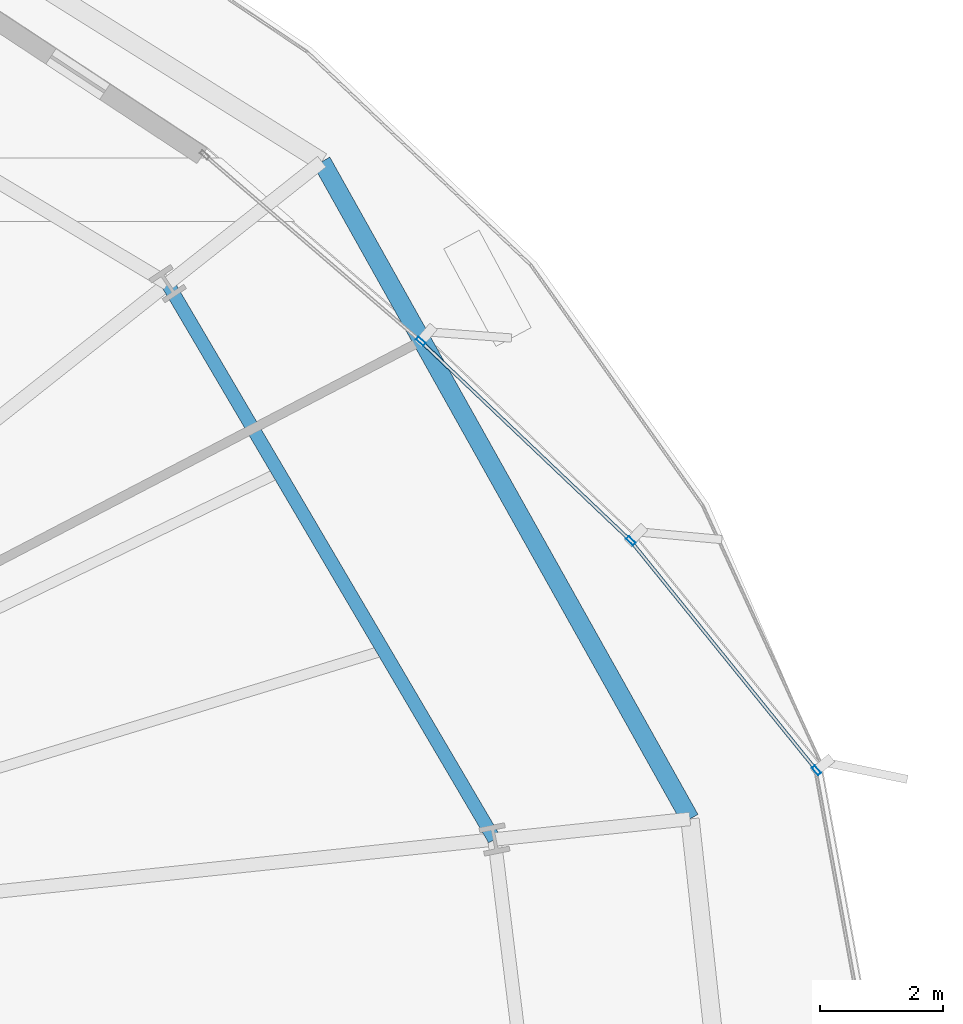
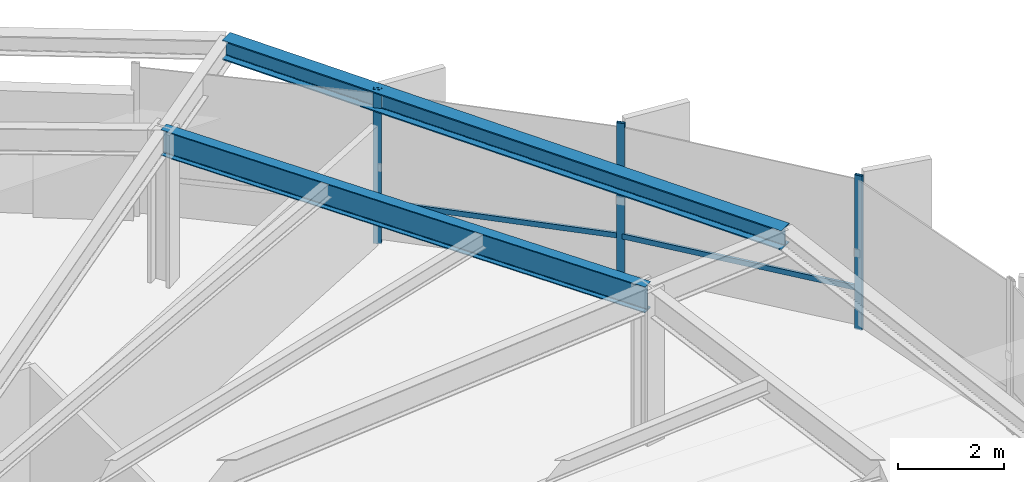
# One storey, part 26 of 39: 5 members, 2 beams, 1 element without a shape of its own.
"""IFC4 building model written with IfcOpenShell, lengths in metres."""

import ifcopenshell
import ifcopenshell.guid

model = None  # the IFC model being written
_history = None  # IfcOwnerHistory: only IFC2X3 demands one
_inside = {}  # id of a spatial element -> (the spatial element, [elements in it])
_under = {}  # id of a project, library or spatial element -> (it, [spatial elements below it])
_declared = {}  # id of a project -> (the project, [libraries it declares])
_typed = {}  # id of a type object -> (the type object, [elements of that type])
_made_of = {}  # id of a material, layer set ... -> (it, [elements and type objects made of it])


def new_model(schema):
    """Start an empty IFC model of exactly this schema.

    Asked for "IFC4X3", IfcOpenShell would pick the latest addendum, in which some entities
    have other attributes; the version numbers below select the first issue.
    IFC2X3 requires an IfcOwnerHistory on every rooted entity: one is made here for all.
    """
    global model, _history
    if schema == "IFC4X3":
        model = ifcopenshell.file(schema_version=(4, 3, 0, 0))
    else:
        model = ifcopenshell.file(schema=schema)
    _inside.clear()
    _under.clear()
    _declared.clear()
    _typed.clear()
    _made_of.clear()
    _history = None
    if model.schema == "IFC2X3":
        org = make("IfcOrganization", Name="unknown")
        user = make(
            "IfcPersonAndOrganization",
            ThePerson=make("IfcPerson", FamilyName="unknown"),
            TheOrganization=org,
        )
        app = make(
            "IfcApplication",
            ApplicationDeveloper=org,
            Version="unknown",
            ApplicationFullName="unknown",
            ApplicationIdentifier="unknown",
        )
        _history = make(
            "IfcOwnerHistory",
            OwningUser=user,
            OwningApplication=app,
            ChangeAction="ADDED",
            CreationDate=0,
        )
    return model


def make(cls, **values):
    """One entity of the class cls with the attributes given. An attribute that is None is left unset."""
    return model.create_entity(
        cls, **{name: value for name, value in values.items() if value is not None}
    )


def rooted(cls, **values):
    """An entity with a GlobalId (a new one), such as an element, a storey or a relation."""
    return make(cls, GlobalId=ifcopenshell.guid.new(), OwnerHistory=_history, **values)


def si_unit(unit_type, name, prefix=None):
    """IfcSIUnit, for example si_unit("LENGTHUNIT", "METRE", prefix="MILLI")."""
    return make("IfcSIUnit", UnitType=unit_type, Prefix=prefix, Name=name)


def assignment(units):
    """IfcUnitAssignment: the units of a project."""
    return None if units is None else make("IfcUnitAssignment", Units=units)


def point(xyz):
    """IfcCartesianPoint."""
    return None if xyz is None else make("IfcCartesianPoint", Coordinates=xyz)


def direction(xyz):
    """IfcDirection."""
    return None if xyz is None else make("IfcDirection", DirectionRatios=xyz)


def frame(location, z_axis=None, x_axis=None):
    """IfcAxis2Placement3D, a coordinate frame: its origin and axes. An axis left out is left unset."""
    return make(
        "IfcAxis2Placement3D",
        Location=point(location),
        Axis=direction(z_axis),
        RefDirection=direction(x_axis),
    )


def frame_2d(location, x_axis=None):
    """IfcAxis2Placement2D, a coordinate frame in the plane: its origin and x axis."""
    return make(
        "IfcAxis2Placement2D", Location=point(location), RefDirection=direction(x_axis)
    )


def origin():
    """The frame at (0, 0, 0) with its axes left unset."""
    return frame((0.0, 0.0, 0.0))


def origin_2d():
    """The frame at (0, 0) in the plane with its x axis left unset."""
    return frame_2d((0.0, 0.0))


def place(relative_to, where):
    """IfcLocalPlacement: puts the frame where relative to a parent placement (None: the world)."""
    return make(
        "IfcLocalPlacement", PlacementRelTo=relative_to, RelativePlacement=where
    )


def context(
    kind, dimensions, precision=None, world=None, true_north=None, identifier=None
):
    """IfcGeometricRepresentationContext, for example the 3D "Model" context."""
    return make(
        "IfcGeometricRepresentationContext",
        ContextIdentifier=identifier,
        ContextType=kind,
        CoordinateSpaceDimension=dimensions,
        Precision=precision,
        WorldCoordinateSystem=world,
        TrueNorth=true_north,
    )


def subcontext(parent, identifier, kind, view, scale=None):
    """IfcGeometricRepresentationSubContext, for example "Body" below "Model"."""
    return make(
        "IfcGeometricRepresentationSubContext",
        ContextIdentifier=identifier,
        ContextType=kind,
        ParentContext=parent,
        TargetScale=scale,
        TargetView=view,
    )


def project(units=None, contexts=None):
    """IfcProject with its units and contexts."""
    return rooted(
        "IfcProject",
        Name="project",
        RepresentationContexts=contexts,
        UnitsInContext=assignment(units),
    )


def spatial(cls, under=None, at=None, **own):
    """A site, building, storey or space (cls), placed at a placement, below another one or the project."""
    s = rooted(cls, ObjectPlacement=at, **own)
    if under is not None:
        _under.setdefault(under.id(), (under, []))[1].append(s)
    return s


def profile(cls, at=None, kind="AREA", **sizes):
    """A parametric profile (cls). Its sizes go by their IFC names, for example OverallWidth=200.0."""
    return make(cls, ProfileType=kind, Position=at, **sizes)


def hollow_rectangle(**sizes):
    """IfcRectangleHollowProfileDef."""
    return profile("IfcRectangleHollowProfileDef", **sizes)


def i_section(**sizes):
    """IfcIShapeProfileDef."""
    return profile("IfcIShapeProfileDef", **sizes)


def extrude(swept, where, along, depth):
    """IfcExtrudedAreaSolid: the profile swept, set in the frame where, extruded along a direction by depth."""
    return make(
        "IfcExtrudedAreaSolid",
        SweptArea=swept,
        Position=where,
        ExtrudedDirection=direction(along),
        Depth=depth,
    )


def shape(context_of_items, identifier, shape_type, items):
    """IfcShapeRepresentation: the items that make up one representation, for example the "Body"."""
    return make(
        "IfcShapeRepresentation",
        ContextOfItems=context_of_items,
        RepresentationIdentifier=identifier,
        RepresentationType=shape_type,
        Items=items,
    )


def source(mapping_origin, context_of_items, identifier, shape_type, items):
    """IfcRepresentationMap: a shape defined once, which mapped items show again and again."""
    return make(
        "IfcRepresentationMap",
        MappingOrigin=mapping_origin,
        MappedRepresentation=shape(context_of_items, identifier, shape_type, items),
    )


def transform(
    local_origin,
    x_axis=None,
    y_axis=None,
    z_axis=None,
    scale=None,
    scale2=None,
    scale3=None,
    uniform=True,
):
    """IfcCartesianTransformationOperator3D, or its non-uniform kind. x_axis, y_axis, z_axis: its Axis1, 2, 3."""
    if uniform:
        return make(
            "IfcCartesianTransformationOperator3D",
            Axis1=direction(x_axis),
            Axis2=direction(y_axis),
            LocalOrigin=point(local_origin),
            Scale=scale,
            Axis3=direction(z_axis),
        )
    return make(
        "IfcCartesianTransformationOperator3DnonUniform",
        Axis1=direction(x_axis),
        Axis2=direction(y_axis),
        LocalOrigin=point(local_origin),
        Scale=scale,
        Axis3=direction(z_axis),
        Scale2=scale2,
        Scale3=scale3,
    )


def mapped(mapping_source, mapping_target):
    """IfcMappedItem: shows the shape of a source again, moved by a transform."""
    return make(
        "IfcMappedItem", MappingSource=mapping_source, MappingTarget=mapping_target
    )


def material(Name=None, Category=None):
    """IfcMaterial."""
    return make("IfcMaterial", Name=Name, Category=Category)


def layer(
    of_material, thickness, ventilated=None, Name=None, Category=None, Priority=None
):
    """IfcMaterialLayer: one layer of a wall or slab, of a material (None: an air gap)."""
    return make(
        "IfcMaterialLayer",
        Material=of_material,
        LayerThickness=thickness,
        IsVentilated=ventilated,
        Name=Name,
        Category=Category,
        Priority=Priority,
    )


def layer_set(layers, Name=None):
    """IfcMaterialLayerSet."""
    return make("IfcMaterialLayerSet", MaterialLayers=layers, LayerSetName=Name)


def material_profile(
    of_material, cross_section, Name=None, Category=None, Priority=None
):
    """IfcMaterialProfile: a cross section and its material."""
    return make(
        "IfcMaterialProfile",
        Name=Name,
        Material=of_material,
        Profile=cross_section,
        Priority=Priority,
        Category=Category,
    )


def profile_set(profiles, Name=None, composite=None):
    """IfcMaterialProfileSet."""
    return make(
        "IfcMaterialProfileSet",
        Name=Name,
        MaterialProfiles=profiles,
        CompositeProfile=composite,
    )


def made_of(thing, what):
    """Note that an element or type object is made of a material, layer set ...; save() writes the relation."""
    if what is not None:
        _made_of.setdefault(what.id(), (what, []))[1].append(thing)
    return thing


def type_object(cls, material=None, **own):
    """A type object (cls), such as IfcWallType, which elements share."""
    return made_of(rooted(cls, **own), material)


def element(
    cls,
    number,
    at=None,
    inside=None,
    cuts=None,
    type_object=None,
    material=None,
    context=None,
    identifier="Body",
    shape_type=None,
    held_by="IfcProductDefinitionShape",
    body=None,
    shapes=None,
    **own,
):
    """One element of the class cls, such as IfcWall. Its Tag is "e" and its number.

    at: its placement. inside: the storey or other place that contains it. cuts: it is an
    opening in that element (IfcRelVoidsElement). A single representation is given by context,
    identifier, shape_type and body (its items); several are given by shapes. held_by: the class
    of the entity that holds the representations. save() writes the other relations.
    """
    e = rooted(cls, Tag="e%d" % number, ObjectPlacement=at, **own)
    if body is not None:
        shapes = [shape(context, identifier, shape_type, body)]
    if shapes is not None:
        e.Representation = make(held_by, Representations=shapes)
    if inside is not None:
        _inside.setdefault(inside.id(), (inside, []))[1].append(e)
    if cuts is not None:
        rooted(
            "IfcRelVoidsElement", RelatingBuildingElement=cuts, RelatedOpeningElement=e
        )
    if type_object is not None:
        _typed.setdefault(type_object.id(), (type_object, []))[1].append(e)
    return made_of(e, material)


def aggregate(whole, parts):
    """IfcRelAggregates: a whole, such as a stair, and the parts it consists of."""
    return rooted("IfcRelAggregates", RelatingObject=whole, RelatedObjects=parts)


def save(model, path):
    """Write the relations noted so far, then the file.

    IfcRelAggregates (storeys below a building ...), IfcRelContainedInSpatialStructure (elements
    in a storey), IfcRelDefinesByType, IfcRelAssociatesMaterial and IfcRelDeclares: one each for
    every whole, place, type object, material and project.
    """
    for whole, parts in _under.values():
        aggregate(whole, parts)
    for where, things in _inside.values():
        rooted(
            "IfcRelContainedInSpatialStructure",
            RelatedElements=things,
            RelatingStructure=where,
        )
    for kind, things in _typed.values():
        rooted("IfcRelDefinesByType", RelatedObjects=things, RelatingType=kind)
    for what, things in _made_of.values():
        rooted("IfcRelAssociatesMaterial", RelatedObjects=things, RelatingMaterial=what)
    for by, libraries in _declared.values():
        rooted("IfcRelDeclares", RelatingContext=by, RelatedDefinitions=libraries)
    model.write(path)


model = new_model("IFC4")

# Units and contexts
model_context = context("Model", 3, precision=1e-05, world=origin(), true_north=direction((0.0, 1.0)))
body_context = subcontext(model_context, "Body", "Model", "MODEL_VIEW")
ifc_project = project(units=[si_unit("LENGTHUNIT", "METRE"), si_unit("AREAUNIT", "SQUARE_METRE"), si_unit("VOLUMEUNIT", "CUBIC_METRE"), si_unit("PLANEANGLEUNIT", "RADIAN"), si_unit("MASSUNIT", "GRAM", prefix="KILO"), si_unit("THERMODYNAMICTEMPERATUREUNIT", "KELVIN")], contexts=[model_context])

# Site, building, storey
site_placement = place(None, origin())
site = spatial("IfcSite", under=ifc_project, at=site_placement, CompositionType="ELEMENT")
building_placement = place(site_placement, origin())
building = spatial("IfcBuilding", under=site, at=building_placement, Name="Kethvar Cultural Tower", CompositionType="ELEMENT")
storey_placement = place(building_placement, frame((0.0, 0.0, 44.800048828125)))
storey = spatial("IfcBuildingStorey", under=building, at=storey_placement, Name="L10", CompositionType="ELEMENT", Elevation=44.800048828125)

# Beams
ifc_material_1 = material(Name="Steel S355J2", Category="steel")
ifc_material_profile_1 = material_profile(ifc_material_1, i_section(OverallWidth=0.219970703125, OverallDepth=0.60009765625, WebThickness=0.011962890625, FlangeThickness=0.01904296875, FilletRadius=0.02392578125, at=origin_2d()), Name="Steel S355J2 — IPE600")
ifc_profile_set_1 = profile_set([ifc_material_profile_1], Name="Steel S355J2 — IPE600")
beam_type_1 = type_object("IfcBeamType", Name="BM-IPE600", PredefinedType="BEAM", material=ifc_profile_set_1)
shared_shape_1 = source(origin(), body_context, "Body", "SweptSolid", [
    extrude(i_section(OverallWidth=0.219970703125, OverallDepth=0.60009765625, WebThickness=0.011962890625, FlangeThickness=0.01904296875, FilletRadius=0.02392578125, at=origin_2d()), origin(), (0.0, 0.0, 1.0), 10.496337890625),
])
beam_1_placement = place(storey_placement, frame((73.65673828125, 33.14208984375, 3.248046875), z_axis=(-0.506871712474, 0.862021500366, 0.0), x_axis=(-0.862021500366, -0.506871712474, 0.0)))
element("IfcBeam", 1, at=beam_1_placement, inside=storey, type_object=beam_type_1, Name="L10 Column Ring Tie Beam CR-01", PredefinedType="BEAM", context=body_context, shape_type="MappedRepresentation", body=[
    mapped(shared_shape_1, transform((0.0, 0.0, 0.0), scale=1.0)),
])
ifc_material_profile_2 = material_profile(ifc_material_1, i_section(OverallWidth=0.300048828125, OverallDepth=0.449951171875, WebThickness=0.013916015625, FlangeThickness=0.02587890625, FilletRadius=0.027099609375, at=origin_2d()), Name="Steel S355J2 — HEB450")
ifc_profile_set_2 = profile_set([ifc_material_profile_2], Name="Steel S355J2 — HEB450")
beam_type_2 = type_object("IfcBeamType", Name="BM-SP450", PredefinedType="SPANDREL", material=ifc_profile_set_2)
shared_shape_2 = source(origin(), body_context, "Body", "SweptSolid", [
    extrude(i_section(OverallWidth=0.300048828125, OverallDepth=0.449951171875, WebThickness=0.013916015625, FlangeThickness=0.02587890625, FilletRadius=0.027099609375, at=origin_2d()), origin(), (0.0, 0.0, 1.0), 12.266357421875),
])
beam_2_placement = place(storey_placement, frame((76.83935546875, 33.4755859375, 3.322998046875), z_axis=(-0.488708822027, 0.872446953845, 0.0), x_axis=(-0.872446953845, -0.488708822027, 0.0)))
element("IfcBeam", 2, at=beam_2_placement, inside=storey, type_object=beam_type_2, Name="L10 Perimeter Spandrel Beam SP-01", PredefinedType="SPANDREL", context=body_context, shape_type="MappedRepresentation", body=[
    mapped(shared_shape_2, transform((0.0, 0.0, 0.0), scale=1.0)),
])

# Curtain wall, members
ifc_material_2 = material(Name="Aluminium 6063-T6", Category="aluminium")
ifc_layer = layer(ifc_material_2, 0.179931640625, Name="Aluminium 6063-T6", Category="aluminium")
ifc_layer_set = layer_set([ifc_layer], Name="Aluminium 6063-T6 (180 mm)")
curtain_wall_type = type_object("IfcCurtainWallType", Name="CW-SYS-02-Z1", PredefinedType="NOTDEFINED", material=ifc_layer_set)
curtain_wall_placement = place(storey_placement, origin())
curtain_wall = element("IfcCurtainWall", 3, at=curtain_wall_placement, inside=storey, type_object=curtain_wall_type, Name="L10 Curtain Wall Run 01", PredefinedType="NOTDEFINED")
ifc_material_profile_3 = material_profile(ifc_material_2, hollow_rectangle(XDim=0.06494140625, YDim=0.159912109375, WallThickness=0.0048828125, at=origin_2d()), Name="Aluminium 6063-T6 — RHS160x65x5")
ifc_profile_set_3 = profile_set([ifc_material_profile_3], Name="Aluminium 6063-T6 — RHS160x65x5")
member_type_1 = type_object("IfcMemberType", Name="CW-SYS-02-Z1-MUL", PredefinedType="MULLION", material=ifc_profile_set_3)
shared_shape_3 = source(origin(), body_context, "Body", "SweptSolid", [
    extrude(hollow_rectangle(XDim=0.06494140625, YDim=0.159912109375, WallThickness=0.0048828125, at=origin_2d()), origin(), (0.0, 0.0, 1.0), 3.550048828125),
])
member_1_placement = place(storey_placement, frame((78.89892578125, 34.267578125, 0.0), z_axis=(0.0, 0.0, 1.0), x_axis=(-0.777156945051, -0.629306827198, 0.0)))
member_1 = element("IfcMember", 4, at=member_1_placement, type_object=member_type_1, Name="CW-L10-R01 Mullion 2", PredefinedType="MULLION", context=body_context, shape_type="MappedRepresentation", body=[
    mapped(shared_shape_3, transform((0.0, 0.0, 0.0), scale=1.0)),
])
member_2_placement = place(storey_placement, frame((75.875732421875, 38.002685546875, 0.0), z_axis=(0.0, 0.0, 1.0), x_axis=(-0.688987322062, -0.724773392198, 0.0)))
member_2 = element("IfcMember", 5, at=member_2_placement, type_object=member_type_1, Name="CW-L10-R01 Mullion 3", PredefinedType="MULLION", context=body_context, shape_type="MappedRepresentation", body=[
    mapped(shared_shape_3, transform((0.0, 0.0, 0.0), scale=1.0)),
])
member_3_placement = place(storey_placement, frame((72.45654296875, 41.253173828125, 0.0), z_axis=(0.0, 0.0, 1.0), x_axis=(-0.652812638885, -0.75751941131, 0.0)))
member_3 = element("IfcMember", 6, at=member_3_placement, type_object=member_type_1, Name="CW-L10-R01 Mullion 4", PredefinedType="MULLION", context=body_context, shape_type="MappedRepresentation", body=[
    mapped(shared_shape_3, transform((0.0, 0.0, 0.0), scale=1.0)),
])
ifc_material_profile_4 = material_profile(ifc_material_2, hollow_rectangle(XDim=0.054931640625, YDim=0.1201171875, WallThickness=0.00390625, at=origin_2d()), Name="Aluminium 6063-T6 — RHS120x55x4")
ifc_profile_set_4 = profile_set([ifc_material_profile_4], Name="Aluminium 6063-T6 — RHS120x55x4")
member_type_2 = type_object("IfcMemberType", Name="CW-SYS-02-Z1-TRN", PredefinedType="USERDEFINED", material=ifc_profile_set_4)
shared_shape_4 = source(origin(), body_context, "Body", "SweptSolid", [
    extrude(hollow_rectangle(XDim=0.054931640625, YDim=0.1201171875, WallThickness=0.00390625, at=origin_2d()), origin(), (0.0, 0.0, 1.0), 4.727294921875),
])
member_4_placement = place(storey_placement, frame((78.869384765625, 34.303955078125, 0.949951171875), z_axis=(-0.629300736027, 0.777161877369, 0.0), x_axis=(-0.777161877369, -0.629300736027, 0.0)))
member_4 = element("IfcMember", 7, at=member_4_placement, type_object=member_type_2, Name="CW-L10-R01 Transom 2", ObjectType="TRANSOM", PredefinedType="USERDEFINED", context=body_context, shape_type="MappedRepresentation", body=[
    mapped(shared_shape_4, transform((0.0, 0.0, 0.0), scale=1.0)),
])
shared_shape_5 = source(origin(), body_context, "Body", "SweptSolid", [
    extrude(hollow_rectangle(XDim=0.054931640625, YDim=0.1201171875, WallThickness=0.00390625, at=origin_2d()), origin(), (0.0, 0.0, 1.0), 4.6298828125),
])
member_5_placement = place(storey_placement, frame((75.841796875, 38.034912109375, 0.949951171875), z_axis=(-0.724782169615, 0.688978088627, 0.0), x_axis=(-0.688978088627, -0.724782169615, 0.0)))
member_5 = element("IfcMember", 8, at=member_5_placement, type_object=member_type_2, Name="CW-L10-R01 Transom 3", ObjectType="TRANSOM", PredefinedType="USERDEFINED", context=body_context, shape_type="MappedRepresentation", body=[
    mapped(shared_shape_5, transform((0.0, 0.0, 0.0), scale=1.0)),
])
aggregate(curtain_wall, [member_1, member_2, member_3, member_4, member_5])

save(model, "model.ifc")
